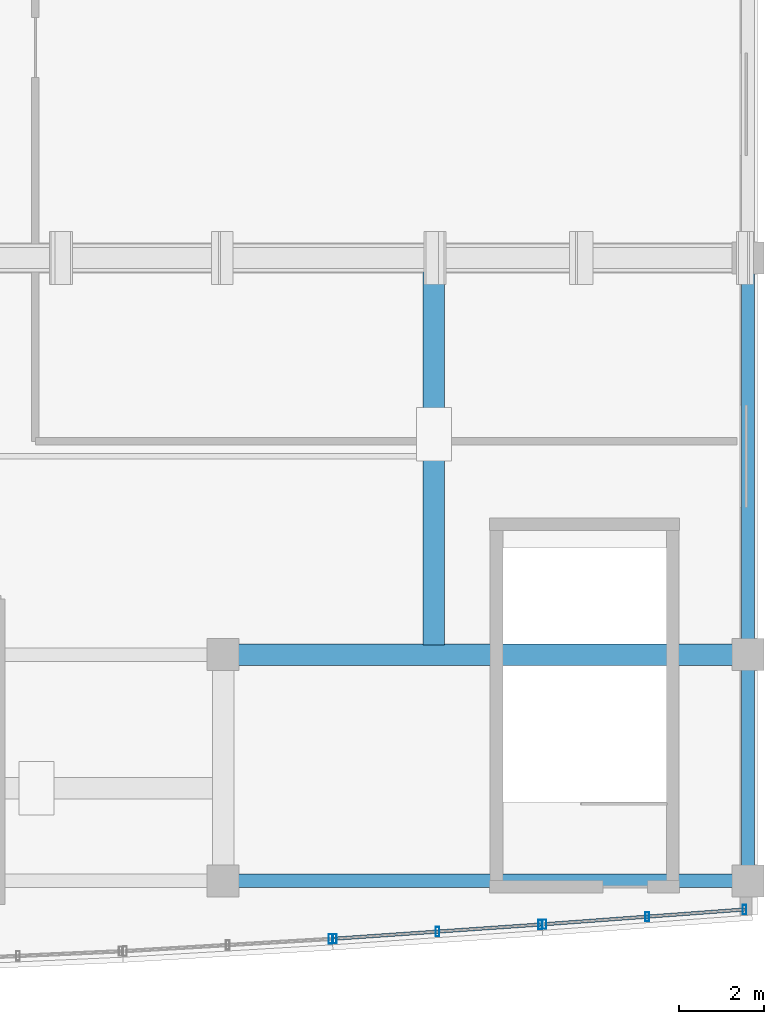
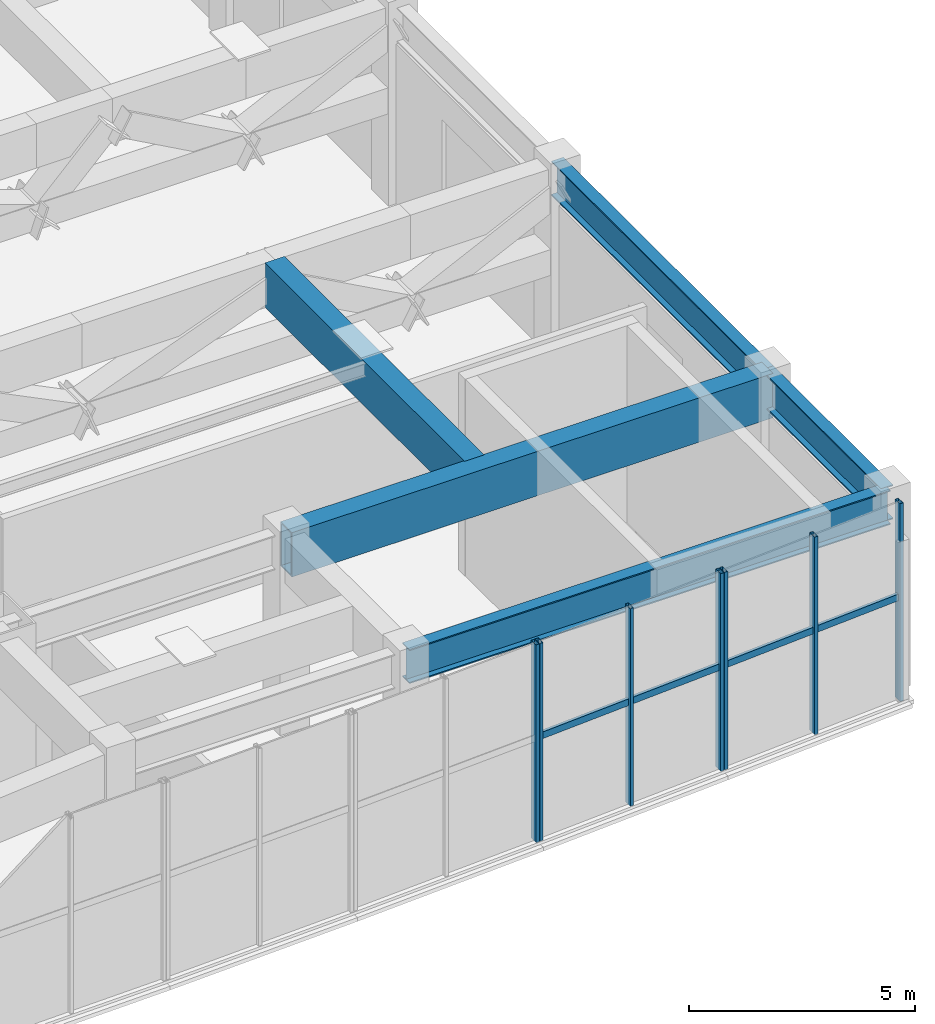
# One storey, part 8 of 19: 9 members, 5 beams, 3 elements without a shape of their own.
"""IFC4 building model written with IfcOpenShell, lengths in metres."""

from ifc_helpers import new_model, si_unit, direction, frame, origin, origin_2d, place, context, subcontext, project, spatial, hollow_rectangle, i_section, extrude, material, layer, layer_set, material_profile, profile_set, type_object, element, aggregate, save


model = new_model("IFC4")

# Units and contexts
model_context = context("Model", 3, precision=1e-05, world=origin(), true_north=direction((0.0, 1.0)))
body_context = subcontext(model_context, "Body", "Model", "MODEL_VIEW")
ifc_project = project(units=[si_unit("LENGTHUNIT", "METRE"), si_unit("AREAUNIT", "SQUARE_METRE"), si_unit("VOLUMEUNIT", "CUBIC_METRE"), si_unit("PLANEANGLEUNIT", "RADIAN"), si_unit("MASSUNIT", "GRAM", prefix="KILO")], contexts=[model_context])

# Site, building, storey
site_placement = place(None, origin())
site = spatial("IfcSite", under=ifc_project, at=site_placement, CompositionType="ELEMENT")
building_placement = place(site_placement, origin())
building = spatial("IfcBuilding", under=site, at=building_placement, Name="Vantalir Tower", CompositionType="ELEMENT")
storey_placement = place(building_placement, frame((0.0, 0.0, 21.5)))
storey = spatial("IfcBuildingStorey", under=building, at=storey_placement, Name="L04", CompositionType="ELEMENT", Elevation=21.5)

# Beams
ifc_material_1 = material(Name="Steel S355", Category="steel")
ifc_material_profile_1 = material_profile(ifc_material_1, i_section(OverallWidth=0.30810546875, OverallDepth=0.927001953125, WebThickness=0.01953125, FlangeThickness=0.031982421875, at=origin_2d()), Name="Steel S355")
ifc_profile_set_1 = profile_set([ifc_material_profile_1], Name="Steel S355")
beam_type_1 = type_object("IfcBeamType", Name="BM-PG-914x305", PredefinedType="USERDEFINED", material=ifc_profile_set_1)
beam_1_placement = place(storey_placement, frame((48.60009765625, 3.199951171875, 4.81591796875), z_axis=(1.0, 0.0, 0.0), x_axis=(0.0, 1.0, 0.0)))
element("IfcBeam", 1, at=beam_1_placement, inside=storey, type_object=beam_type_1, Name="L04 Podium E-W Girder 06", ObjectType="GIRDER", PredefinedType="USERDEFINED", context=body_context, shape_type="SweptSolid", body=[
    extrude(i_section(OverallWidth=0.30810546875, OverallDepth=0.927001953125, WebThickness=0.01953125, FlangeThickness=0.031982421875, at=origin_2d()), origin(), (0.0, 0.0, 1.0), 12.2998046875),
])
beam_2_placement = place(storey_placement, frame((60.89990234375, 3.199951171875, 4.81591796875), z_axis=(0.0, 1.0, 0.0), x_axis=(-1.0, 0.0, 0.0)))
element("IfcBeam", 2, at=beam_2_placement, inside=storey, type_object=beam_type_1, Name="L04 Podium N-S Girder 73", ObjectType="GIRDER", PredefinedType="USERDEFINED", context=body_context, shape_type="SweptSolid", body=[
    extrude(i_section(OverallWidth=0.30810546875, OverallDepth=0.927001953125, WebThickness=0.01953125, FlangeThickness=0.031982421875, at=origin_2d()), origin(), (0.0, 0.0, 1.0), 5.300048828125),
])
beam_3_placement = place(storey_placement, frame((60.89990234375, 8.5, 4.81591796875), z_axis=(0.0, 1.0, 0.0), x_axis=(-1.0, 0.0, 0.0)))
element("IfcBeam", 3, at=beam_3_placement, inside=storey, type_object=beam_type_1, Name="L04 Podium N-S Girder 74", ObjectType="GIRDER", PredefinedType="USERDEFINED", context=body_context, shape_type="SweptSolid", body=[
    extrude(i_section(OverallWidth=0.30810546875, OverallDepth=0.927001953125, WebThickness=0.01953125, FlangeThickness=0.031982421875, at=origin_2d()), origin(), (0.0, 0.0, 1.0), 9.300048828125),
])
ifc_material_2 = material(Name="Steel S460", Category="steel")
ifc_material_profile_2 = material_profile(ifc_material_2, hollow_rectangle(XDim=0.5, YDim=1.199951171875, WallThickness=0.0400390625, at=origin_2d()), Name="Steel S460")
ifc_profile_set_2 = profile_set([ifc_material_profile_2], Name="Steel S460")
beam_type_2 = type_object("IfcBeamType", Name="BM-XG-1200x500", PredefinedType="USERDEFINED", material=ifc_profile_set_2)
beam_4_placement = place(storey_placement, frame((48.60009765625, 8.5, 4.679931640625), z_axis=(1.0, 0.0, 0.0), x_axis=(0.0, 1.0, 0.0)))
element("IfcBeam", 4, at=beam_4_placement, inside=storey, type_object=beam_type_2, Name="L04 Ring Transfer Girder PRI-YSE", ObjectType="GIRDER", PredefinedType="USERDEFINED", context=body_context, shape_type="SweptSolid", body=[
    extrude(hollow_rectangle(XDim=0.5, YDim=1.199951171875, WallThickness=0.0400390625, at=origin_2d()), origin(), (0.0, 0.0, 1.0), 12.2998046875),
])
beam_5_placement = place(storey_placement, frame((53.5400390625, 8.72509765625, 4.679931640625), z_axis=(0.0, 1.0, 0.0), x_axis=(-1.0, 0.0, 0.0)))
element("IfcBeam", 5, at=beam_5_placement, inside=storey, type_object=beam_type_2, Name="L04 Ring Transfer Girder SEC-RC12", ObjectType="GIRDER", PredefinedType="USERDEFINED", context=body_context, shape_type="SweptSolid", body=[
    extrude(hollow_rectangle(XDim=0.5, YDim=1.199951171875, WallThickness=0.0400390625, at=origin_2d()), origin(), (0.0, 0.0, 1.0), 8.849853515625),
])

# Curtain wall, member
ifc_material_3 = material(Name="Champagne-silver PVDF aluminium and double-silver Low-E glass", Category="aluminium")
ifc_layer = layer(ifc_material_3, 0.239990234375)
ifc_layer_set = layer_set([ifc_layer], Name="Champagne-silver PVDF aluminium and double-silver Low-E glass")
curtain_wall_type = type_object("IfcCurtainWallType", Name="CW-PODIUM-WF", PredefinedType="USERDEFINED", material=ifc_layer_set)
curtain_wall_1_placement = place(storey_placement, origin())
curtain_wall_1 = element("IfcCurtainWall", 6, at=curtain_wall_1_placement, inside=storey, type_object=curtain_wall_type, Name="L04 Waterfront Stick Curtain Wall 10", ObjectType="STICK CURTAIN WALL", PredefinedType="USERDEFINED")
ifc_material_4 = material(Name="Champagne-silver PVDF aluminium 6063-T6", Category="aluminium")
ifc_material_profile_3 = material_profile(ifc_material_4, hollow_rectangle(XDim=0.0849609375, YDim=0.219970703125, WallThickness=0.0048828125, at=origin_2d()), Name="Champagne-silver PVDF aluminium 6063-T6")
ifc_profile_set_3 = profile_set([ifc_material_profile_3], Name="Champagne-silver PVDF aluminium 6063-T6")
member_type_1 = type_object("IfcMemberType", Name="CWM-220x85", PredefinedType="MULLION", material=ifc_profile_set_3)
member_1_placement = place(storey_placement, frame((51.116943359375, 1.8369140625, -0.011962890625), z_axis=(0.0, 0.0, 1.0), x_axis=(1.0, 0.0, 0.0)))
member_1 = element("IfcMember", 7, at=member_1_placement, type_object=member_type_1, Name="CW-L04-WF-10 Mullion 3", PredefinedType="MULLION", context=body_context, shape_type="SweptSolid", body=[
    extrude(hollow_rectangle(XDim=0.0849609375, YDim=0.219970703125, WallThickness=0.0048828125, at=origin_2d()), origin(), (0.0, 0.0, 1.0), 5.343994140625),
])
aggregate(curtain_wall_1, [member_1])

# Curtain wall, members
curtain_wall_2_placement = place(storey_placement, origin())
curtain_wall_2 = element("IfcCurtainWall", 8, at=curtain_wall_2_placement, inside=storey, type_object=curtain_wall_type, Name="L04 Waterfront Stick Curtain Wall 11", ObjectType="STICK CURTAIN WALL", PredefinedType="USERDEFINED")
member_2_placement = place(storey_placement, frame((51.217041015625, 1.843017578125, -0.011962890625), z_axis=(0.0, 0.0, 1.0), x_axis=(1.0, 0.0, 0.0)))
member_2 = element("IfcMember", 9, at=member_2_placement, type_object=member_type_1, Name="CW-L04-WF-11 Mullion 1", PredefinedType="MULLION", context=body_context, shape_type="SweptSolid", body=[
    extrude(hollow_rectangle(XDim=0.0849609375, YDim=0.219970703125, WallThickness=0.0048828125, at=origin_2d()), origin(), (0.0, 0.0, 1.0), 5.343994140625),
])
member_3_placement = place(storey_placement, frame((53.625, 2.009033203125, -0.011962890625), z_axis=(0.0, 0.0, 1.0), x_axis=(1.0, 0.0, 0.0)))
member_3 = element("IfcMember", 10, at=member_3_placement, type_object=member_type_1, Name="CW-L04-WF-11 Mullion 2", PredefinedType="MULLION", context=body_context, shape_type="SweptSolid", body=[
    extrude(hollow_rectangle(XDim=0.0849609375, YDim=0.219970703125, WallThickness=0.0048828125, at=origin_2d()), origin(), (0.0, 0.0, 1.0), 5.343994140625),
])
member_4_placement = place(storey_placement, frame((56.032958984375, 2.175048828125, -0.011962890625), z_axis=(0.0, 0.0, 1.0), x_axis=(1.0, 0.0, 0.0)))
member_4 = element("IfcMember", 11, at=member_4_placement, type_object=member_type_1, Name="CW-L04-WF-11 Mullion 3", PredefinedType="MULLION", context=body_context, shape_type="SweptSolid", body=[
    extrude(hollow_rectangle(XDim=0.0849609375, YDim=0.219970703125, WallThickness=0.0048828125, at=origin_2d()), origin(), (0.0, 0.0, 1.0), 5.343994140625),
])

curtain_wall_3_placement = place(storey_placement, origin())
curtain_wall_3 = element("IfcCurtainWall", 12, at=curtain_wall_3_placement, inside=storey, type_object=curtain_wall_type, Name="L04 Waterfront Stick Curtain Wall 12", ObjectType="STICK CURTAIN WALL", PredefinedType="USERDEFINED")
member_5_placement = place(storey_placement, frame((56.133056640625, 2.181884765625, -0.011962890625), z_axis=(0.0, 0.0, 1.0), x_axis=(1.0, 0.0, 0.0)))
member_5 = element("IfcMember", 13, at=member_5_placement, type_object=member_type_1, Name="CW-L04-WF-12 Mullion 1", PredefinedType="MULLION", context=body_context, shape_type="SweptSolid", body=[
    extrude(hollow_rectangle(XDim=0.0849609375, YDim=0.219970703125, WallThickness=0.0048828125, at=origin_2d()), origin(), (0.0, 0.0, 1.0), 5.343994140625),
])
member_6_placement = place(storey_placement, frame((58.5419921875, 2.35888671875, -0.011962890625), z_axis=(0.0, 0.0, 1.0), x_axis=(1.0, 0.0, 0.0)))
member_6 = element("IfcMember", 14, at=member_6_placement, type_object=member_type_1, Name="CW-L04-WF-12 Mullion 2", PredefinedType="MULLION", context=body_context, shape_type="SweptSolid", body=[
    extrude(hollow_rectangle(XDim=0.0849609375, YDim=0.219970703125, WallThickness=0.0048828125, at=origin_2d()), origin(), (0.0, 0.0, 1.0), 5.343994140625),
])
member_7_placement = place(storey_placement, frame((60.820068359375, 2.527099609375, -0.011962890625), z_axis=(0.0, 0.0, 1.0), x_axis=(1.0, 0.0, 0.0)))
member_7 = element("IfcMember", 15, at=member_7_placement, type_object=member_type_1, Name="CW-L04-WF-12 Mullion 3", PredefinedType="MULLION", context=body_context, shape_type="SweptSolid", body=[
    extrude(hollow_rectangle(XDim=0.0849609375, YDim=0.219970703125, WallThickness=0.0048828125, at=origin_2d()), origin(), (0.0, 0.0, 1.0), 5.343994140625),
])

# Member
ifc_material_profile_4 = material_profile(ifc_material_4, hollow_rectangle(XDim=0.080078125, YDim=0.179931640625, WallThickness=0.0048828125, at=origin_2d()), Name="Champagne-silver PVDF aluminium 6063-T6")
ifc_profile_set_4 = profile_set([ifc_material_profile_4], Name="Champagne-silver PVDF aluminium 6063-T6")
member_type_2 = type_object("IfcMemberType", Name="CWT-180x80", PredefinedType="USERDEFINED", material=ifc_profile_set_4)
member_8_placement = place(storey_placement, frame((51.217041015625, 1.843017578125, 2.76611328125), z_axis=(0.99763176464, 0.068781263303, 0.0), x_axis=(-0.068781263303, 0.99763176464, 0.0)))
member_8 = element("IfcMember", 16, at=member_8_placement, type_object=member_type_2, Name="CW-L04-WF-11 Transom 1", ObjectType="TRANSOM", PredefinedType="USERDEFINED", context=body_context, shape_type="SweptSolid", body=[
    extrude(hollow_rectangle(XDim=0.080078125, YDim=0.179931640625, WallThickness=0.0048828125, at=origin_2d()), origin(), (0.0, 0.0, 1.0), 4.827392578125),
])

aggregate(curtain_wall_2, [member_2, member_3, member_4, member_8])

member_9_placement = place(storey_placement, frame((56.133056640625, 2.181884765625, 2.76611328125), z_axis=(0.997298566733, 0.073454535543, 0.0), x_axis=(-0.073454535543, 0.997298566733, 0.0)))
member_9 = element("IfcMember", 17, at=member_9_placement, type_object=member_type_2, Name="CW-L04-WF-12 Transom 1", ObjectType="TRANSOM", PredefinedType="USERDEFINED", context=body_context, shape_type="SweptSolid", body=[
    extrude(hollow_rectangle(XDim=0.080078125, YDim=0.179931640625, WallThickness=0.0048828125, at=origin_2d()), origin(), (0.0, 0.0, 1.0), 4.69970703125),
])

aggregate(curtain_wall_3, [member_5, member_6, member_7, member_9])

save(model, "model.ifc")
